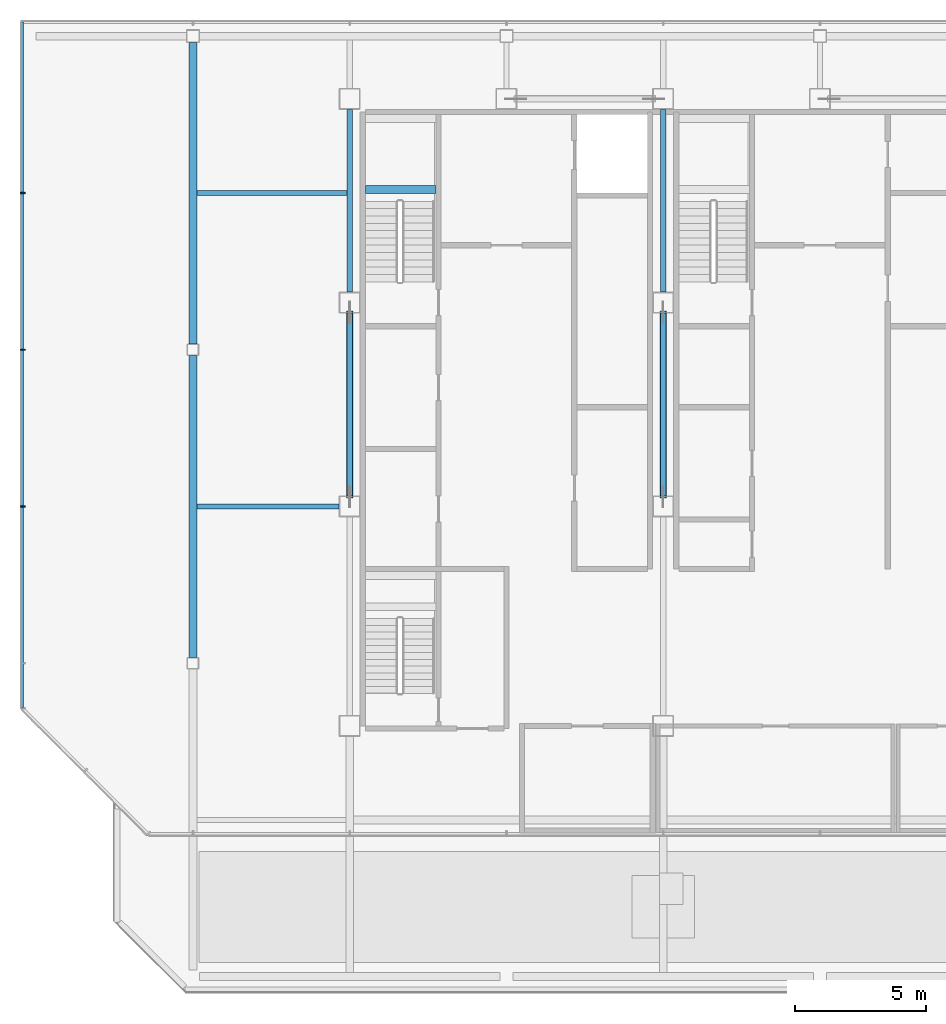
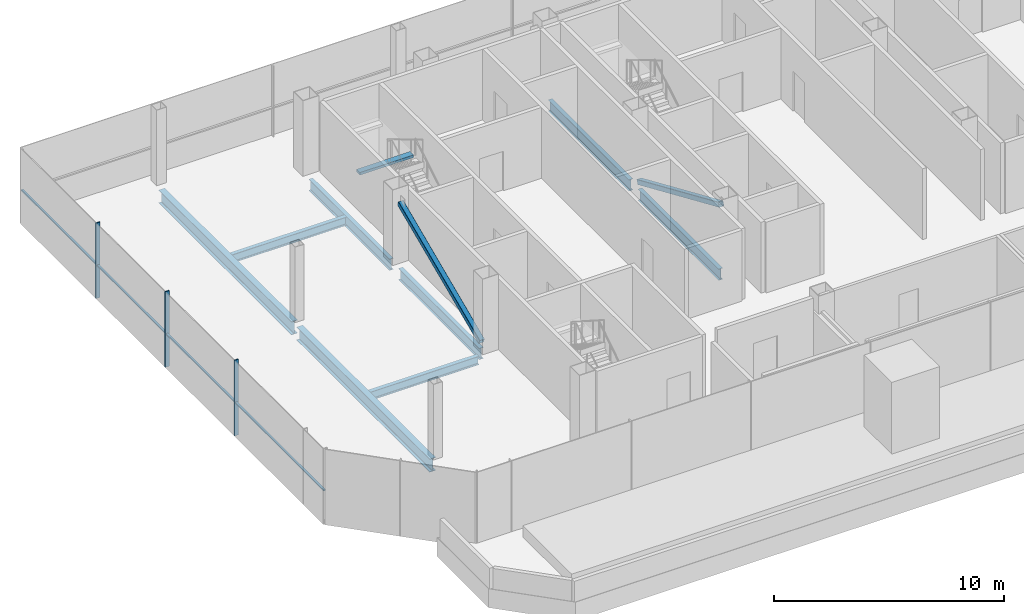
# One storey, part 6 of 18: 9 beams, 6 members, 1 element without a shape of its own.
"""IFC4 building model written with IfcOpenShell, lengths in metres."""

from ifc_helpers import new_model, si_unit, direction, frame, origin, origin_2d, place, context, subcontext, project, spatial, rectangle, hollow_rectangle, i_section, extrude, material, material_profile, profile_set, type_object, element, aggregate, save


model = new_model("IFC4")

# Units and contexts
model_context = context("Model", 3, precision=1e-05, world=origin(), true_north=direction((0.0, 1.0)))
body_context = subcontext(model_context, "Body", "Model", "MODEL_VIEW")
ifc_project = project(units=[si_unit("LENGTHUNIT", "METRE"), si_unit("AREAUNIT", "SQUARE_METRE"), si_unit("VOLUMEUNIT", "CUBIC_METRE"), si_unit("PLANEANGLEUNIT", "RADIAN"), si_unit("MASSUNIT", "GRAM", prefix="KILO")], contexts=[model_context])

# Site, building, storey
site_placement = place(None, origin())
site = spatial("IfcSite", under=ifc_project, at=site_placement, CompositionType="ELEMENT")
building_placement = place(site_placement, origin())
building = spatial("IfcBuilding", under=site, at=building_placement, Name="Sorahane Residences", CompositionType="ELEMENT")
storey_placement = place(building_placement, frame((0.0, 0.0, 345.800048828125)))
storey = spatial("IfcBuildingStorey", under=building, at=storey_placement, Name="L82", CompositionType="ELEMENT", Elevation=345.800048828125)

# Members
ifc_material_1 = material(Name="Steel Q355B", Category="steel")
ifc_material_profile_1 = material_profile(ifc_material_1, hollow_rectangle(XDim=0.25, YDim=0.25, WallThickness=0.011962890625, InnerFilletRadius=0.006103515625, OuterFilletRadius=0.01806640625, at=origin_2d()), Name="RHS 250x250x12")
ifc_profile_set_1 = profile_set([ifc_material_profile_1], Name="Steel Q355B")
member_type_1 = type_object("IfcMemberType", Name="Core brace RHS 250x250x12 Q355B", PredefinedType="BRACE", material=ifc_profile_set_1)
for number, where, z_axis, x_axis, name in (
    (1, (6.0, 30.3701171875, 0.11181640625), (0.0, 0.916752232611, 0.399456310506), (-1.0, 0.0, 0.0), "Core brace L82 x6-2"),
    (2, (18.0, 37.429931640625, 0.11181640625), (0.0, -0.916752232611, 0.399456310506), (1.0, 0.0, 0.0), "Core brace L82 x18-1"),
):
    element("IfcMember", number, at=place(storey_placement, frame(where, z_axis=z_axis, x_axis=x_axis)), inside=storey, type_object=member_type_1, Name=name, PredefinedType="BRACE", context=body_context, shape_type="SweptSolid", body=[
        extrude(hollow_rectangle(XDim=0.25, YDim=0.25, WallThickness=0.011962890625, InnerFilletRadius=0.006103515625, OuterFilletRadius=0.01806640625, at=origin_2d()), origin(), (0.0, 0.0, 1.0), 7.700927734375),
    ])

# Curtain wall, members
ifc_material_2 = material(Name="Dark low-e glass and black anodised aluminium", Category="aluminium")
curtain_wall_type = type_object("IfcCurtainWallType", Name="Curtain wall CW-6 Crown unitised wall", PredefinedType="NOTDEFINED", material=ifc_material_2)
curtain_wall_placement = place(storey_placement, origin())
curtain_wall = element("IfcCurtainWall", 3, at=curtain_wall_placement, inside=storey, type_object=curtain_wall_type, Name="CW-6 curtain wall L82 W1", PredefinedType="NOTDEFINED")
ifc_material_3 = material(Name="Black anodised aluminium", Category="aluminium")
ifc_material_profile_2 = material_profile(ifc_material_3, rectangle(XDim=0.199951171875, YDim=0.050048828125, at=origin_2d()), Name="Curtain wall mullion CW-6 black anodised aluminium 50x200")
ifc_profile_set_2 = profile_set([ifc_material_profile_2], Name="Black anodised aluminium")
member_type_2 = type_object("IfcMemberType", Name="Curtain wall mullion CW-6 black anodised aluminium 50x200", PredefinedType="MULLION", material=ifc_profile_set_2)
member_1_placement = place(storey_placement, frame((-6.52001953125, 42.0, -0.25), z_axis=(0.0, 0.0, 1.0), x_axis=(-1.0, 0.0, 0.0)))
member_1 = element("IfcMember", 4, at=member_1_placement, type_object=member_type_2, Name="CW-6 mullion L82 W1.2", PredefinedType="MULLION", context=body_context, shape_type="SweptSolid", body=[
    extrude(rectangle(XDim=0.199951171875, YDim=0.050048828125, at=origin_2d()), origin(), (0.0, 0.0, 1.0), 4.0),
])
member_2_placement = place(storey_placement, frame((-6.52001953125, 36.0, -0.25), z_axis=(0.0, 0.0, 1.0), x_axis=(-1.0, 0.0, 0.0)))
member_2 = element("IfcMember", 5, at=member_2_placement, type_object=member_type_2, Name="CW-6 mullion L82 W1.3", PredefinedType="MULLION", context=body_context, shape_type="SweptSolid", body=[
    extrude(rectangle(XDim=0.199951171875, YDim=0.050048828125, at=origin_2d()), origin(), (0.0, 0.0, 1.0), 4.0),
])
member_3_placement = place(storey_placement, frame((-6.52001953125, 30.0, -0.25), z_axis=(0.0, 0.0, 1.0), x_axis=(-1.0, 0.0, 0.0)))
member_3 = element("IfcMember", 6, at=member_3_placement, type_object=member_type_2, Name="CW-6 mullion L82 W1.4", PredefinedType="MULLION", context=body_context, shape_type="SweptSolid", body=[
    extrude(rectangle(XDim=0.199951171875, YDim=0.050048828125, at=origin_2d()), origin(), (0.0, 0.0, 1.0), 4.0),
])
ifc_material_4 = material(Name="Black anodised aluminium", Category="aluminium")
ifc_material_profile_3 = material_profile(ifc_material_4, rectangle(XDim=0.10009765625, YDim=0.06005859375, at=origin_2d()), Name="Curtain wall transom CW-6 black anodised aluminium 60x100")
ifc_profile_set_3 = profile_set([ifc_material_profile_3], Name="Black anodised aluminium")
member_type_3 = type_object("IfcMemberType", Name="Curtain wall transom CW-6 black anodised aluminium 60x100", PredefinedType="USERDEFINED", material=ifc_profile_set_3)
member_4_placement = place(storey_placement, frame((-6.530029296875, 48.550048828125, 1.5), z_axis=(0.0, -1.0, 0.0), x_axis=(1.0, 0.0, 0.0)))
member_4 = element("IfcMember", 7, at=member_4_placement, type_object=member_type_3, Name="CW-6 transom L82 W1", ObjectType="TRANSOM", PredefinedType="USERDEFINED", context=body_context, shape_type="SweptSolid", body=[
    extrude(rectangle(XDim=0.10009765625, YDim=0.06005859375, at=origin_2d()), origin(), (0.0, 0.0, 1.0), 26.24853515625),
])
aggregate(curtain_wall, [member_1, member_2, member_3, member_4])

# Beams
ifc_material_5 = material(Name="Concrete C40", Category="concrete")
ifc_material_profile_4 = material_profile(ifc_material_5, rectangle(XDim=0.300048828125, YDim=0.139892578125, at=origin_2d()), Name="300x140")
ifc_profile_set_4 = profile_set([ifc_material_profile_4], Name="Concrete C40")
beam_type_1 = type_object("IfcBeamType", Name="RC landing beam 300 x 140 Concrete C40", PredefinedType="BEAM", material=ifc_profile_set_4)
beam_1_placement = place(storey_placement, frame((6.60009765625, 42.1298828125, 1.72998046875), z_axis=(1.0, 0.0, 0.0), x_axis=(0.0, 1.0, 0.0)))
element("IfcBeam", 8, at=beam_1_placement, inside=storey, type_object=beam_type_1, Name="Landing beam", PredefinedType="BEAM", context=body_context, shape_type="SweptSolid", body=[
    extrude(rectangle(XDim=0.300048828125, YDim=0.139892578125, at=origin_2d()), origin(), (0.0, 0.0, 1.0), 2.699951171875),
])
ifc_material_6 = material(Name="Steel Q355B", Category="steel")
ifc_material_profile_5 = material_profile(ifc_material_6, i_section(OverallWidth=0.199951171875, OverallDepth=0.449951171875, WebThickness=0.009033203125, FlangeThickness=0.013916015625, FilletRadius=0.02001953125, at=origin_2d()), Name="HN 450x200x9x14")
ifc_profile_set_5 = profile_set([ifc_material_profile_5], Name="Steel Q355B")
beam_type_2 = type_object("IfcBeamType", Name="Steel floor beam HN 450x200x9x14 Q355B", PredefinedType="BEAM", material=ifc_profile_set_5)
beam_2_placement = place(storey_placement, frame((0.14990234375, 30.0, -0.47509765625), z_axis=(1.0, 0.0, 0.0), x_axis=(0.0, 1.0, 0.0)))
element("IfcBeam", 9, at=beam_2_placement, inside=storey, type_object=beam_type_2, Name="Beam L82 034", PredefinedType="BEAM", context=body_context, shape_type="SweptSolid", body=[
    extrude(i_section(OverallWidth=0.199951171875, OverallDepth=0.449951171875, WebThickness=0.009033203125, FlangeThickness=0.013916015625, FilletRadius=0.02001953125, at=origin_2d()), origin(), (0.0, 0.0, 1.0), 5.4501953125),
])
beam_3_placement = place(storey_placement, frame((0.14990234375, 42.0, -0.47509765625), z_axis=(1.0, 0.0, 0.0), x_axis=(0.0, 1.0, 0.0)))
element("IfcBeam", 10, at=beam_3_placement, inside=storey, type_object=beam_type_2, Name="Beam L82 035", PredefinedType="BEAM", context=body_context, shape_type="SweptSolid", body=[
    extrude(i_section(OverallWidth=0.199951171875, OverallDepth=0.449951171875, WebThickness=0.009033203125, FlangeThickness=0.013916015625, FilletRadius=0.02001953125, at=origin_2d()), origin(), (0.0, 0.0, 1.0), 5.75),
])
ifc_material_7 = material(Name="Steel Q355B", Category="steel")
ifc_material_profile_6 = material_profile(ifc_material_7, i_section(OverallWidth=0.199951171875, OverallDepth=0.60009765625, WebThickness=0.010986328125, FlangeThickness=0.01708984375, FilletRadius=0.02392578125, at=origin_2d()), Name="HN 600x200x11x17")
ifc_profile_set_6 = profile_set([ifc_material_profile_6], Name="Steel Q355B")
beam_type_3 = type_object("IfcBeamType", Name="Steel floor beam HN 600x200x11x17 Q355B", PredefinedType="BEAM", material=ifc_profile_set_6)
for number, where, z_axis, x_axis, name in (
    (11, (6.0, 30.39990234375, -0.550048828125), (0.0, 1.0, 0.0), (-1.0, 0.0, 0.0), "Beam L82 013"),
    (12, (6.0, 38.199951171875, -0.550048828125), (0.0, 1.0, 0.0), (-1.0, 0.0, 0.0), "Beam L82 014"),
    (13, (18.0, 30.39990234375, -0.550048828125), (0.0, 1.0, 0.0), (-1.0, 0.0, 0.0), "Beam L82 019"),
    (14, (18.0, 38.199951171875, -0.550048828125), (0.0, 1.0, 0.0), (-1.0, 0.0, 0.0), "Beam L82 020"),
):
    element("IfcBeam", number, at=place(storey_placement, frame(where, z_axis=z_axis, x_axis=x_axis)), inside=storey, type_object=beam_type_3, Name=name, PredefinedType="BEAM", context=body_context, shape_type="SweptSolid", body=[
        extrude(i_section(OverallWidth=0.199951171875, OverallDepth=0.60009765625, WebThickness=0.010986328125, FlangeThickness=0.01708984375, FilletRadius=0.02392578125, at=origin_2d()), origin(), (0.0, 0.0, 1.0), 7.0),
    ])
ifc_material_8 = material(Name="Steel Q355B", Category="steel")
ifc_material_profile_7 = material_profile(ifc_material_8, i_section(OverallWidth=0.300048828125, OverallDepth=0.699951171875, WebThickness=0.012939453125, FlangeThickness=0.02392578125, FilletRadius=0.028076171875, at=origin_2d()), Name="HN 700x300x13x24")
ifc_profile_set_7 = profile_set([ifc_material_profile_7], Name="Steel Q355B")
beam_type_4 = type_object("IfcBeamType", Name="Steel floor beam HN 700x300x13x24 Q355B", PredefinedType="BEAM", material=ifc_profile_set_7)
beam_4_placement = place(storey_placement, frame((0.0, 24.22509765625, -0.60009765625), z_axis=(0.0, 1.0, 0.0), x_axis=(-1.0, 0.0, 0.0)))
element("IfcBeam", 15, at=beam_4_placement, inside=storey, type_object=beam_type_4, Name="Beam L82 009", PredefinedType="BEAM", context=body_context, shape_type="SweptSolid", body=[
    extrude(i_section(OverallWidth=0.300048828125, OverallDepth=0.699951171875, WebThickness=0.012939453125, FlangeThickness=0.02392578125, FilletRadius=0.028076171875, at=origin_2d()), origin(), (0.0, 0.0, 1.0), 11.5498046875),
])
beam_5_placement = place(storey_placement, frame((0.0, 36.22509765625, -0.60009765625), z_axis=(0.0, 1.0, 0.0), x_axis=(-1.0, 0.0, 0.0)))
element("IfcBeam", 16, at=beam_5_placement, inside=storey, type_object=beam_type_4, Name="Beam L82 010", PredefinedType="BEAM", context=body_context, shape_type="SweptSolid", body=[
    extrude(i_section(OverallWidth=0.300048828125, OverallDepth=0.699951171875, WebThickness=0.012939453125, FlangeThickness=0.02392578125, FilletRadius=0.028076171875, at=origin_2d()), origin(), (0.0, 0.0, 1.0), 11.52490234375),
])

save(model, "model.ifc")
